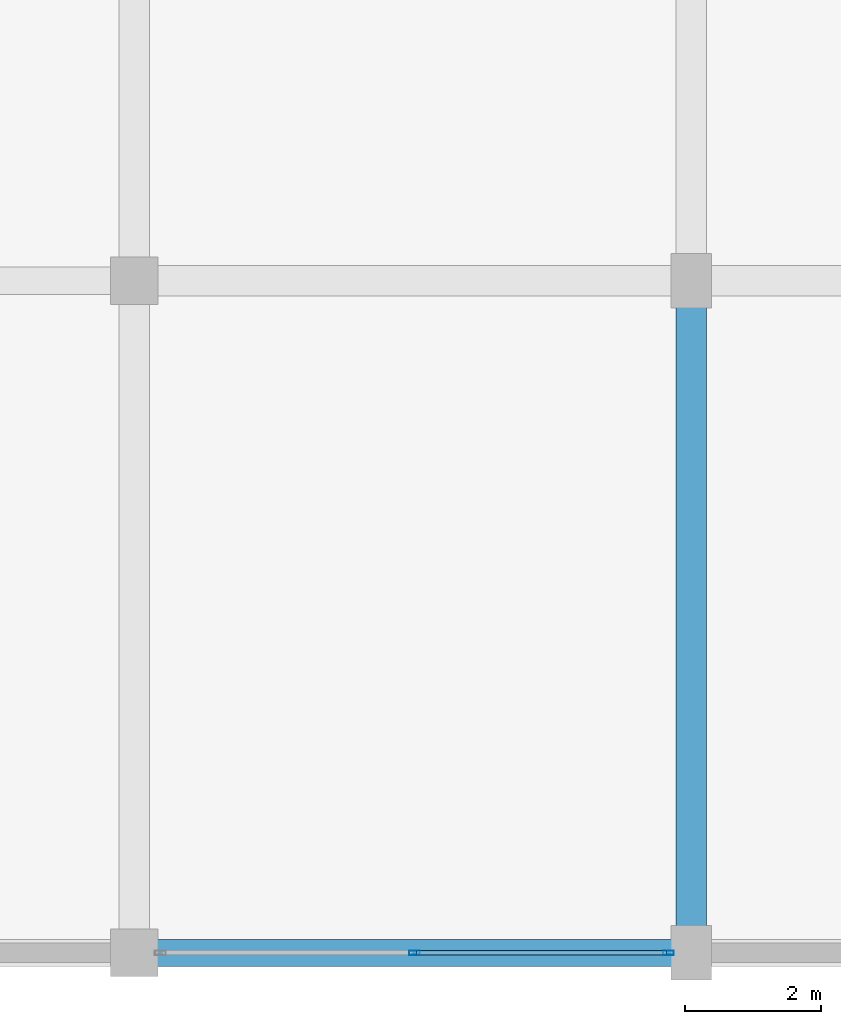
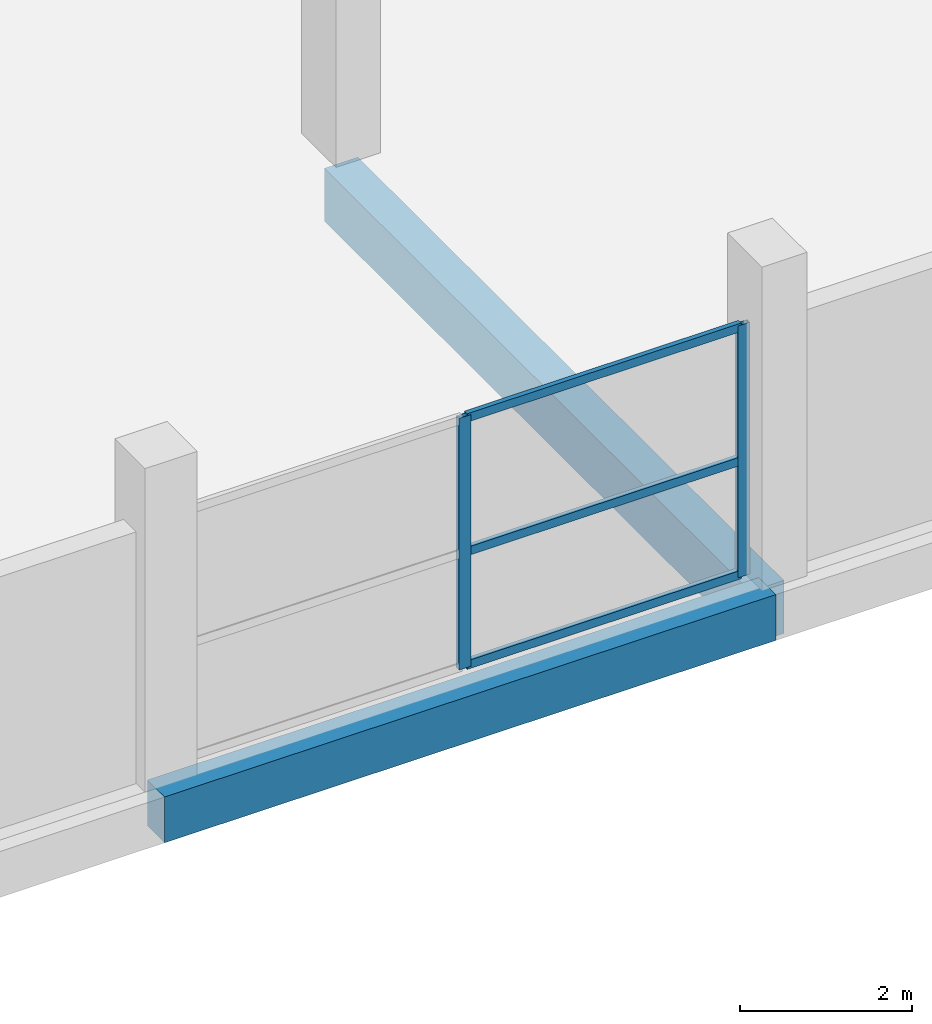
# One storey, part 11 of 58: 5 members, 2 beams, 1 element without a shape of its own.
"""IFC4 building model written with IfcOpenShell, lengths in metres."""

from ifc_helpers import new_model, si_unit, direction, frame, origin, origin_2d, place, context, subcontext, project, spatial, rectangle, hollow_rectangle, extrude, material, layer, layer_set, material_profile, profile_set, type_object, element, aggregate, save


model = new_model("IFC4")

# Units and contexts
model_context = context("Model", 3, precision=1e-05, world=origin(), true_north=direction((0.0, 1.0)))
body_context = subcontext(model_context, "Body", "Model", "MODEL_VIEW")
ifc_project = project(units=[si_unit("LENGTHUNIT", "METRE"), si_unit("AREAUNIT", "SQUARE_METRE"), si_unit("VOLUMEUNIT", "CUBIC_METRE"), si_unit("PLANEANGLEUNIT", "RADIAN"), si_unit("MASSUNIT", "GRAM", prefix="KILO")], contexts=[model_context])

# Site, building, storey
site_placement = place(None, origin())
site = spatial("IfcSite", under=ifc_project, at=site_placement, CompositionType="ELEMENT")
building_placement = place(site_placement, origin())
building = spatial("IfcBuilding", under=site, at=building_placement, Name="Sillaruma Civic Art Gallery", CompositionType="ELEMENT")
storey_placement = place(building_placement, frame((0.0, 0.0, 28.56005859375)))
storey = spatial("IfcBuildingStorey", under=building, at=storey_placement, Name="L05", CompositionType="ELEMENT", Elevation=28.56005859375)

# Beams
ifc_material_1 = material(Name="Concrete H40 (40 MPa)", Category="concrete")
ifc_material_profile_1 = material_profile(ifc_material_1, rectangle(XDim=0.449951171875, YDim=0.75, at=origin_2d()), Name="RCB450x750")
ifc_profile_set_1 = profile_set([ifc_material_profile_1], Name="Concrete H40 (40 MPa)")
beam_type_1 = type_object("IfcBeamType", Name="BM-BEAM-RCB450x750", PredefinedType="BEAM", material=ifc_profile_set_1)
beam_1_placement = place(storey_placement, frame((106.199951171875, 19.800048828125, -0.655029296875), z_axis=(0.0, 1.0, 0.0), x_axis=(-1.0, 0.0, 0.0)))
element("IfcBeam", 1, at=beam_1_placement, inside=storey, type_object=beam_type_1, Name="Beam BM-03 (L04:M:3-4)", PredefinedType="BEAM", context=body_context, shape_type="SweptSolid", body=[
    extrude(rectangle(XDim=0.449951171875, YDim=0.75, at=origin_2d()), origin(), (0.0, 0.0, 1.0), 9.89990234375),
])
ifc_material_2 = material(Name="Concrete H35 (35 MPa)", Category="concrete")
ifc_material_profile_2 = material_profile(ifc_material_2, rectangle(XDim=0.39990234375, YDim=0.64990234375, at=origin_2d()), Name="RCB400x650")
ifc_profile_set_2 = profile_set([ifc_material_profile_2], Name="Concrete H35 (35 MPa)")
beam_type_2 = type_object("IfcBeamType", Name="BM-SPANDREL-RCB400x650", PredefinedType="SPANDREL", material=ifc_profile_set_2)
beam_2_placement = place(storey_placement, frame((98.0, 19.800048828125, -0.60498046875), z_axis=(1.0, 0.0, 0.0), x_axis=(0.0, 1.0, 0.0)))
element("IfcBeam", 2, at=beam_2_placement, inside=storey, type_object=beam_type_2, Name="Beam BS-02 (L04:3:L-M)", PredefinedType="SPANDREL", context=body_context, shape_type="SweptSolid", body=[
    extrude(rectangle(XDim=0.39990234375, YDim=0.64990234375, at=origin_2d()), origin(), (0.0, 0.0, 1.0), 8.199951171875),
])

# Curtain wall, members
ifc_material_3 = material(Name="Thermally Broken Extruded Aluminium 6063-T6", Category="aluminium")
ifc_layer = layer(ifc_material_3, 0.159912109375, Name="Thermally Broken Extruded Aluminium 6063-T6")
ifc_layer_set = layer_set([ifc_layer], Name="Thermally Broken Extruded Aluminium 6063-T6")
curtain_wall_type = type_object("IfcCurtainWallType", Name="CW-UNI-38", PredefinedType="NOTDEFINED", material=ifc_layer_set)
curtain_wall_placement = place(storey_placement, origin())
curtain_wall = element("IfcCurtainWall", 3, at=curtain_wall_placement, inside=storey, type_object=curtain_wall_type, Name="Unitised Curtain Wall CW-38 (CW-L05-S-6)", PredefinedType="NOTDEFINED")
ifc_material_profile_3 = material_profile(ifc_material_3, hollow_rectangle(XDim=0.06494140625, YDim=0.159912109375, WallThickness=0.00390625, at=origin_2d()), Name="CWM65x160")
ifc_profile_set_3 = profile_set([ifc_material_profile_3], Name="Thermally Broken Extruded Aluminium 6063-T6")
member_type_1 = type_object("IfcMemberType", Name="MEM-MUL-CWM65x160", PredefinedType="MULLION", material=ifc_profile_set_3)
member_1_placement = place(storey_placement, frame((102.125, 19.800048828125, 0.0), z_axis=(0.0, 0.0, 1.0), x_axis=(0.0, 1.0, 0.0)))
member_1 = element("IfcMember", 4, at=member_1_placement, type_object=member_type_1, Name="CW-38 mullion 2", PredefinedType="MULLION", context=body_context, shape_type="SweptSolid", body=[
    extrude(hollow_rectangle(XDim=0.06494140625, YDim=0.159912109375, WallThickness=0.00390625, at=origin_2d()), origin(), (0.0, 0.0, 1.0), 3.56982421875),
])
member_2_placement = place(storey_placement, frame((105.867431640625, 19.800048828125, 0.0), z_axis=(0.0, 0.0, 1.0), x_axis=(0.0, 1.0, 0.0)))
member_2 = element("IfcMember", 5, at=member_2_placement, type_object=member_type_1, Name="CW-38 mullion 3", PredefinedType="MULLION", context=body_context, shape_type="SweptSolid", body=[
    extrude(hollow_rectangle(XDim=0.06494140625, YDim=0.159912109375, WallThickness=0.00390625, at=origin_2d()), origin(), (0.0, 0.0, 1.0), 3.56982421875),
])
ifc_material_profile_4 = material_profile(ifc_material_3, hollow_rectangle(XDim=0.06494140625, YDim=0.1201171875, WallThickness=0.00341796875, at=origin_2d()), Name="CWT65x120")
ifc_profile_set_4 = profile_set([ifc_material_profile_4], Name="Thermally Broken Extruded Aluminium 6063-T6")
member_type_2 = type_object("IfcMemberType", Name="MEM-TRN-CWT65x120", PredefinedType="USERDEFINED", material=ifc_profile_set_4)
member_3_placement = place(storey_placement, frame((102.157470703125, 19.800048828125, 0.032470703125), z_axis=(1.0, 0.0, 0.0), x_axis=(0.0, 1.0, 0.0)))
member_3 = element("IfcMember", 6, at=member_3_placement, type_object=member_type_2, Name="CW-38 transom 2.1", ObjectType="TRANSOM", PredefinedType="USERDEFINED", context=body_context, shape_type="SweptSolid", body=[
    extrude(hollow_rectangle(XDim=0.06494140625, YDim=0.1201171875, WallThickness=0.00341796875, at=origin_2d()), origin(), (0.0, 0.0, 1.0), 3.677490234375),
])
member_4_placement = place(storey_placement, frame((102.157470703125, 19.800048828125, 1.64208984375), z_axis=(1.0, 0.0, 0.0), x_axis=(0.0, 1.0, 0.0)))
member_4 = element("IfcMember", 7, at=member_4_placement, type_object=member_type_2, Name="CW-38 transom 2.2", ObjectType="TRANSOM", PredefinedType="USERDEFINED", context=body_context, shape_type="SweptSolid", body=[
    extrude(hollow_rectangle(XDim=0.06494140625, YDim=0.1201171875, WallThickness=0.00341796875, at=origin_2d()), origin(), (0.0, 0.0, 1.0), 3.677490234375),
])
member_5_placement = place(storey_placement, frame((102.157470703125, 19.800048828125, 3.537353515625), z_axis=(1.0, 0.0, 0.0), x_axis=(0.0, 1.0, 0.0)))
member_5 = element("IfcMember", 8, at=member_5_placement, type_object=member_type_2, Name="CW-38 transom 2.3", ObjectType="TRANSOM", PredefinedType="USERDEFINED", context=body_context, shape_type="SweptSolid", body=[
    extrude(hollow_rectangle(XDim=0.06494140625, YDim=0.1201171875, WallThickness=0.00341796875, at=origin_2d()), origin(), (0.0, 0.0, 1.0), 3.677490234375),
])
aggregate(curtain_wall, [member_1, member_2, member_3, member_4, member_5])

save(model, "model.ifc")
